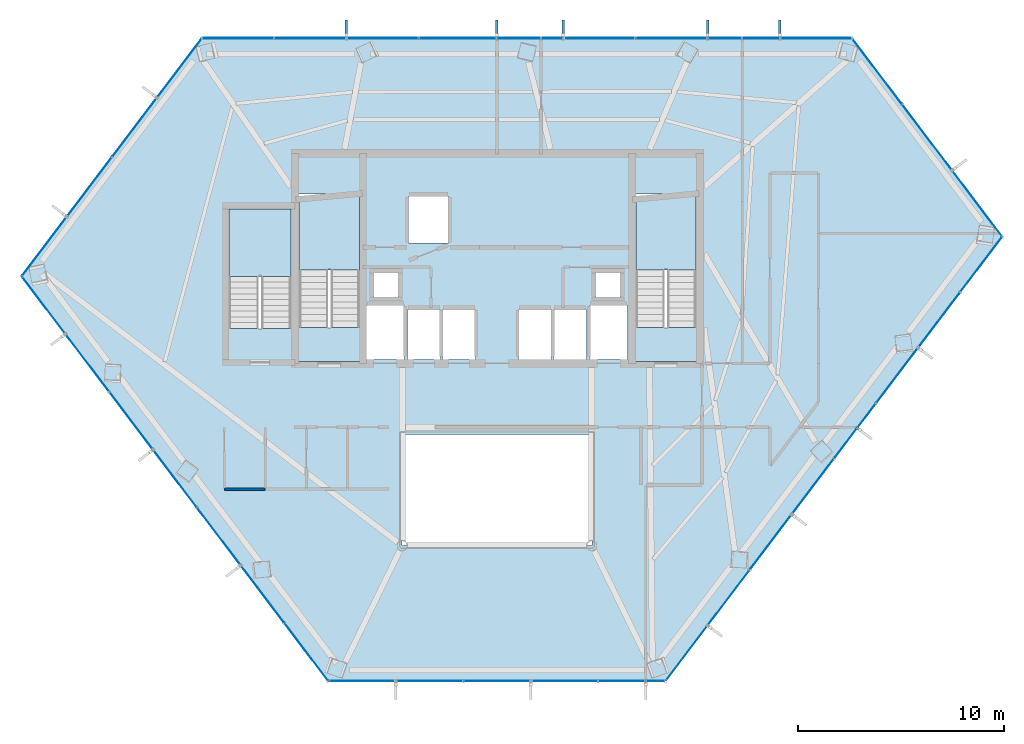
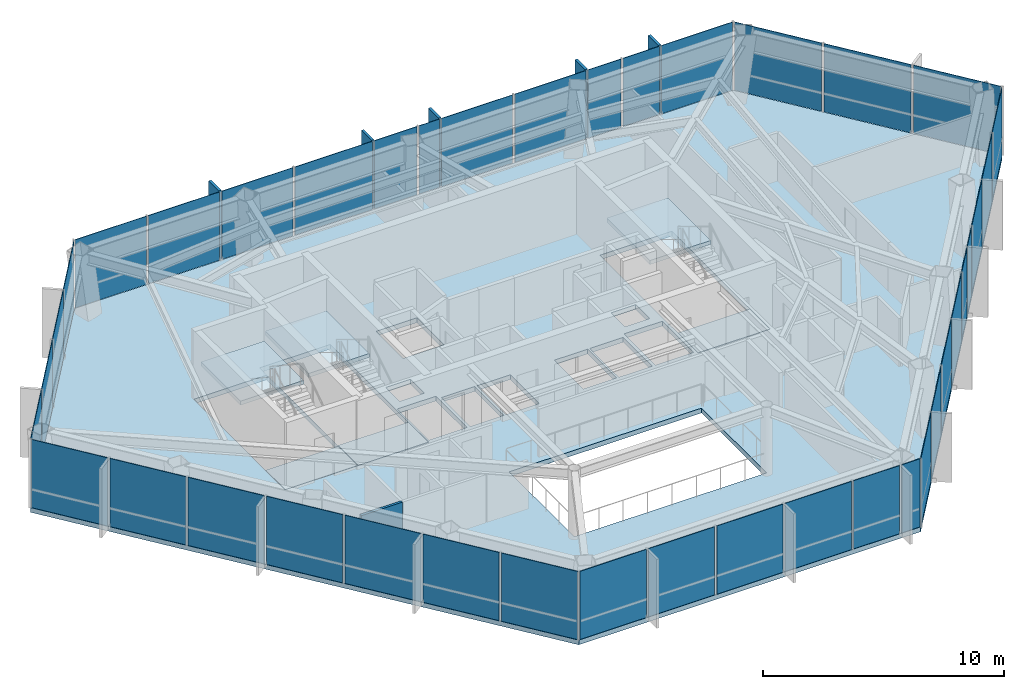
# One storey, part 24 of 28: 40 plates, 7 slabs, 5 members, 1 wall, 9 elements without a shape of their own.
"""IFC4 building model written with IfcOpenShell, lengths in metres."""

from ifc_helpers import new_model, si_unit, direction, frame, frame_2d, origin, origin_2d, place, context, subcontext, project, spatial, polyline, rectangle, outline, extrude, material, layer, layer_set, material_profile, profile_set, type_object, element, aggregate, save


model = new_model("IFC4")

# Units and contexts
model_context = context("Model", 3, precision=1e-05, world=origin(), true_north=direction((0.0, 1.0)))
body_context = subcontext(model_context, "Body", "Model", "MODEL_VIEW")
ifc_project = project(units=[si_unit("LENGTHUNIT", "METRE"), si_unit("AREAUNIT", "SQUARE_METRE"), si_unit("VOLUMEUNIT", "CUBIC_METRE"), si_unit("PLANEANGLEUNIT", "RADIAN"), si_unit("MASSUNIT", "GRAM", prefix="KILO")], contexts=[model_context])

# Site, building, storey
site_placement = place(None, origin())
site = spatial("IfcSite", under=ifc_project, at=site_placement, CompositionType="ELEMENT")
building_placement = place(site_placement, origin())
building = spatial("IfcBuilding", under=site, at=building_placement, Name="Zarrinselat Tower", CompositionType="ELEMENT")
storey_placement = place(building_placement, frame((0.0, 0.0, 153.340087890625)))
storey = spatial("IfcBuildingStorey", under=building, at=storey_placement, Name="L37", CompositionType="ELEMENT", Elevation=153.340087890625)

# Curtain wall, members, plates
ifc_material_1 = material(Name="Extruded Aluminium Alloy EN AW-6063 T6", Category="aluminium")
ifc_layer_1 = layer(ifc_material_1, 0.175048828125)
ifc_layer_set_1 = layer_set([ifc_layer_1], Name="Extruded Aluminium Alloy EN AW-6063 T6")
curtain_wall_type = type_object("IfcCurtainWallType", Name="CWS-HTL", PredefinedType="NOTDEFINED", material=ifc_layer_set_1)
curtain_wall_1_placement = place(storey_placement, origin())
curtain_wall_1 = element("IfcCurtainWall", 1, at=curtain_wall_1_placement, inside=storey, type_object=curtain_wall_type, Name="L37 Unitised Curtain Wall CW-L37-E01", PredefinedType="NOTDEFINED")
ifc_material_2 = material(Name="Honed Cream Travertine Stone", Category="masonry")
ifc_material_profile = material_profile(ifc_material_2, rectangle(XDim=0.1201171875, YDim=0.85009765625, at=origin_2d()), Name="FIN 850x120")
ifc_profile_set = profile_set([ifc_material_profile], Name="Honed Cream Travertine Stone")
member_type = type_object("IfcMemberType", Name="MEM-STONE-FIN", PredefinedType="USERDEFINED", material=ifc_profile_set)
member_1_placement = place(storey_placement, frame((52.126953125, 49.493408203125, 0.0), z_axis=(0.0, 0.0, 1.0), x_axis=(1.0, 0.0, 0.0)))
member_1 = element("IfcMember", 2, at=member_1_placement, type_object=member_type, Name="L37 Stone Shading Fin CW-L37-E01-01", ObjectType="FIN", PredefinedType="USERDEFINED", context=body_context, shape_type="SweptSolid", body=[
    extrude(rectangle(XDim=0.1201171875, YDim=0.85009765625, at=origin_2d()), origin(), (0.0, 0.0, 1.0), 3.489990234375),
])
member_2_placement = place(storey_placement, frame((48.621337890625, 49.493408203125, 0.0), z_axis=(0.0, 0.0, 1.0), x_axis=(1.0, 0.0, 0.0)))
member_2 = element("IfcMember", 3, at=member_2_placement, type_object=member_type, Name="L37 Stone Shading Fin CW-L37-E01-03", ObjectType="FIN", PredefinedType="USERDEFINED", context=body_context, shape_type="SweptSolid", body=[
    extrude(rectangle(XDim=0.1201171875, YDim=0.85009765625, at=origin_2d()), origin(), (0.0, 0.0, 1.0), 3.489990234375),
])
member_3_placement = place(storey_placement, frame((41.610107421875, 49.493408203125, 0.0), z_axis=(0.0, 0.0, 1.0), x_axis=(1.0, 0.0, 0.0)))
member_3 = element("IfcMember", 4, at=member_3_placement, type_object=member_type, Name="L37 Stone Shading Fin CW-L37-E01-05", ObjectType="FIN", PredefinedType="USERDEFINED", context=body_context, shape_type="SweptSolid", body=[
    extrude(rectangle(XDim=0.1201171875, YDim=0.85009765625, at=origin_2d()), origin(), (0.0, 0.0, 1.0), 3.489990234375),
])
member_4_placement = place(storey_placement, frame((38.39990234375, 49.493408203125, 0.0), z_axis=(0.0, 0.0, 1.0), x_axis=(1.0, 0.0, 0.0)))
member_4 = element("IfcMember", 5, at=member_4_placement, type_object=member_type, Name="L37 Stone Shading Fin CW-L37-E01-07", ObjectType="FIN", PredefinedType="USERDEFINED", context=body_context, shape_type="SweptSolid", body=[
    extrude(rectangle(XDim=0.1201171875, YDim=0.85009765625, at=origin_2d()), origin(), (0.0, 0.0, 1.0), 3.489990234375),
])
member_5_placement = place(storey_placement, frame((31.093017578125, 49.493408203125, 0.0), z_axis=(0.0, 0.0, 1.0), x_axis=(1.0, 0.0, 0.0)))
member_5 = element("IfcMember", 6, at=member_5_placement, type_object=member_type, Name="L37 Stone Shading Fin CW-L37-E01-09", ObjectType="FIN", PredefinedType="USERDEFINED", context=body_context, shape_type="SweptSolid", body=[
    extrude(rectangle(XDim=0.1201171875, YDim=0.85009765625, at=origin_2d()), origin(), (0.0, 0.0, 1.0), 3.489990234375),
])
ifc_material_3 = material(Name="Double Low-E Laminated Solar Glass", Category="glass")
ifc_layer_2 = layer(ifc_material_3, 0.028076171875)
ifc_layer_set_2 = layer_set([ifc_layer_2], Name="Double Low-E Laminated Solar Glass")
plate_type = type_object("IfcPlateType", Name="PLT-CW-GL28", PredefinedType="CURTAIN_PANEL", material=ifc_layer_set_2)
plate_1_placement = place(storey_placement, frame((53.8798828125, 49.033203125, 0.02001953125), z_axis=(0.0, 0.0, 1.0), x_axis=(-1.0, 0.0, 0.0)))
plate_1 = element("IfcPlate", 7, at=plate_1_placement, type_object=plate_type, Name="CW-L37-E01 Vision Glass Panel 1", PredefinedType="CURTAIN_PANEL", context=body_context, shape_type="SweptSolid", body=[
    extrude(rectangle(XDim=3.40576171875, YDim=0.028076171875, at=origin_2d()), origin(), (0.0, 0.0, 1.0), 3.449951171875),
])
plate_2_placement = place(storey_placement, frame((51.21337890625, 49.033203125, 0.02001953125), z_axis=(0.0, 0.0, 1.0), x_axis=(-1.0, 0.0, 0.0)))
plate_2 = element("IfcPlate", 8, at=plate_2_placement, type_object=plate_type, Name="CW-L37-E01 Vision Glass Panel 2", PredefinedType="CURTAIN_PANEL", context=body_context, shape_type="SweptSolid", body=[
    extrude(rectangle(XDim=1.72705078125, YDim=0.028076171875, at=origin_2d()), origin(), (0.0, 0.0, 1.0), 3.449951171875),
])
plate_3_placement = place(storey_placement, frame((49.460693359375, 49.033203125, 0.02001953125), z_axis=(0.0, 0.0, 1.0), x_axis=(-1.0, 0.0, 0.0)))
plate_3 = element("IfcPlate", 9, at=plate_3_placement, type_object=plate_type, Name="CW-L37-E01 Vision Glass Panel 3", PredefinedType="CURTAIN_PANEL", context=body_context, shape_type="SweptSolid", body=[
    extrude(rectangle(XDim=1.57861328125, YDim=0.028076171875, at=origin_2d()), origin(), (0.0, 0.0, 1.0), 3.449951171875),
])
plate_4_placement = place(storey_placement, frame((46.86865234375, 49.033203125, 0.02001953125), z_axis=(0.0, 0.0, 1.0), x_axis=(-1.0, 0.0, 0.0)))
plate_4 = element("IfcPlate", 10, at=plate_4_placement, type_object=plate_type, Name="CW-L37-E01 Vision Glass Panel 4", PredefinedType="CURTAIN_PANEL", context=body_context, shape_type="SweptSolid", body=[
    extrude(rectangle(XDim=3.40576171875, YDim=0.028076171875, at=origin_2d()), origin(), (0.0, 0.0, 1.0), 3.449951171875),
])
plate_5_placement = place(storey_placement, frame((43.36279296875, 49.033203125, 0.02001953125), z_axis=(0.0, 0.0, 1.0), x_axis=(-1.0, 0.0, 0.0)))
plate_5 = element("IfcPlate", 11, at=plate_5_placement, type_object=plate_type, Name="CW-L37-E01 Vision Glass Panel 5", PredefinedType="CURTAIN_PANEL", context=body_context, shape_type="SweptSolid", body=[
    extrude(rectangle(XDim=3.40576171875, YDim=0.028076171875, at=origin_2d()), origin(), (0.0, 0.0, 1.0), 3.449951171875),
])
plate_6_placement = place(storey_placement, frame((41.075927734375, 49.033203125, 0.02001953125), z_axis=(0.0, 0.0, 1.0), x_axis=(-1.0, 0.0, 0.0)))
plate_6 = element("IfcPlate", 12, at=plate_6_placement, type_object=plate_type, Name="CW-L37-E01 Vision Glass Panel 6", PredefinedType="CURTAIN_PANEL", context=body_context, shape_type="SweptSolid", body=[
    extrude(rectangle(XDim=0.968017578125, YDim=0.028076171875, at=origin_2d()), origin(), (0.0, 0.0, 1.0), 3.449951171875),
])
plate_7_placement = place(storey_placement, frame((39.470947265625, 49.033203125, 0.02001953125), z_axis=(0.0, 0.0, 1.0), x_axis=(-1.0, 0.0, 0.0)))
plate_7 = element("IfcPlate", 13, at=plate_7_placement, type_object=plate_type, Name="CW-L37-E01 Vision Glass Panel 7", PredefinedType="CURTAIN_PANEL", context=body_context, shape_type="SweptSolid", body=[
    extrude(rectangle(XDim=2.0419921875, YDim=0.028076171875, at=origin_2d()), origin(), (0.0, 0.0, 1.0), 3.449951171875),
])
plate_8_placement = place(storey_placement, frame((36.49951171875, 49.033203125, 0.02001953125), z_axis=(0.0, 0.0, 1.0), x_axis=(-1.0, 0.0, 0.0)))
plate_8 = element("IfcPlate", 14, at=plate_8_placement, type_object=plate_type, Name="CW-L37-E01 Vision Glass Panel 8", PredefinedType="CURTAIN_PANEL", context=body_context, shape_type="SweptSolid", body=[
    extrude(rectangle(XDim=3.701171875, YDim=0.028076171875, at=origin_2d()), origin(), (0.0, 0.0, 1.0), 3.449951171875),
])
plate_9_placement = place(storey_placement, frame((32.845947265625, 49.033203125, 0.02001953125), z_axis=(0.0, 0.0, 1.0), x_axis=(-1.0, 0.0, 0.0)))
plate_9 = element("IfcPlate", 15, at=plate_9_placement, type_object=plate_type, Name="CW-L37-E01 Vision Glass Panel 9", PredefinedType="CURTAIN_PANEL", context=body_context, shape_type="SweptSolid", body=[
    extrude(rectangle(XDim=3.40576171875, YDim=0.028076171875, at=origin_2d()), origin(), (0.0, 0.0, 1.0), 3.449951171875),
])
plate_10_placement = place(storey_placement, frame((29.34033203125, 49.033203125, 0.02001953125), z_axis=(0.0, 0.0, 1.0), x_axis=(-1.0, 0.0, 0.0)))
plate_10 = element("IfcPlate", 16, at=plate_10_placement, type_object=plate_type, Name="CW-L37-E01 Vision Glass Panel 10", PredefinedType="CURTAIN_PANEL", context=body_context, shape_type="SweptSolid", body=[
    extrude(rectangle(XDim=3.40576171875, YDim=0.028076171875, at=origin_2d()), origin(), (0.0, 0.0, 1.0), 3.449951171875),
])
plate_11_placement = place(storey_placement, frame((25.834716796875, 49.033203125, 0.02001953125), z_axis=(0.0, 0.0, 1.0), x_axis=(-1.0, 0.0, 0.0)))
plate_11 = element("IfcPlate", 17, at=plate_11_placement, type_object=plate_type, Name="CW-L37-E01 Vision Glass Panel 11", PredefinedType="CURTAIN_PANEL", context=body_context, shape_type="SweptSolid", body=[
    extrude(rectangle(XDim=3.40576171875, YDim=0.028076171875, at=origin_2d()), origin(), (0.0, 0.0, 1.0), 3.449951171875),
])
aggregate(curtain_wall_1, [member_1, member_2, member_3, member_4, member_5, plate_1, plate_2, plate_3, plate_4, plate_5, plate_6, plate_7, plate_8, plate_9, plate_10, plate_11])

# Curtain wall, plates
curtain_wall_2_placement = place(storey_placement, origin())
curtain_wall_2 = element("IfcCurtainWall", 18, at=curtain_wall_2_placement, inside=storey, type_object=curtain_wall_type, Name="L37 Unitised Curtain Wall CW-L37-E02", PredefinedType="NOTDEFINED")
plate_12_placement = place(storey_placement, frame((22.988037109375, 47.589599609375, 0.02001953125), z_axis=(0.0, 0.0, 1.0), x_axis=(-0.603857687995, -0.797092148154, 0.0)))
plate_12 = element("IfcPlate", 19, at=plate_12_placement, type_object=plate_type, Name="CW-L37-E02 Vision Glass Panel 1", PredefinedType="CURTAIN_PANEL", context=body_context, shape_type="SweptSolid", body=[
    extrude(rectangle(XDim=3.5224609375, YDim=0.028076171875, at=origin_2d()), origin(), (0.0, 0.0, 1.0), 3.449951171875),
])
plate_13_placement = place(storey_placement, frame((20.800537109375, 44.701904296875, 0.02001953125), z_axis=(0.0, 0.0, 1.0), x_axis=(-0.603857687995, -0.797092148154, 0.0)))
plate_13 = element("IfcPlate", 20, at=plate_13_placement, type_object=plate_type, Name="CW-L37-E02 Vision Glass Panel 2", PredefinedType="CURTAIN_PANEL", context=body_context, shape_type="SweptSolid", body=[
    extrude(rectangle(XDim=3.5224609375, YDim=0.028076171875, at=origin_2d()), origin(), (0.0, 0.0, 1.0), 3.449951171875),
])
plate_14_placement = place(storey_placement, frame((18.613037109375, 41.814453125, 0.02001953125), z_axis=(0.0, 0.0, 1.0), x_axis=(-0.603857687995, -0.797092148154, 0.0)))
plate_14 = element("IfcPlate", 21, at=plate_14_placement, type_object=plate_type, Name="CW-L37-E02 Vision Glass Panel 3", PredefinedType="CURTAIN_PANEL", context=body_context, shape_type="SweptSolid", body=[
    extrude(rectangle(XDim=3.5224609375, YDim=0.028076171875, at=origin_2d()), origin(), (0.0, 0.0, 1.0), 3.449951171875),
])
plate_15_placement = place(storey_placement, frame((16.425537109375, 38.927001953125, 0.02001953125), z_axis=(0.0, 0.0, 1.0), x_axis=(-0.603857687995, -0.797092148154, 0.0)))
plate_15 = element("IfcPlate", 22, at=plate_15_placement, type_object=plate_type, Name="CW-L37-E02 Vision Glass Panel 4", PredefinedType="CURTAIN_PANEL", context=body_context, shape_type="SweptSolid", body=[
    extrude(rectangle(XDim=3.5224609375, YDim=0.028076171875, at=origin_2d()), origin(), (0.0, 0.0, 1.0), 3.449951171875),
])
aggregate(curtain_wall_2, [plate_12, plate_13, plate_14, plate_15])

curtain_wall_3_placement = place(storey_placement, origin())
curtain_wall_3 = element("IfcCurtainWall", 23, at=curtain_wall_3_placement, inside=storey, type_object=curtain_wall_type, Name="L37 Unitised Curtain Wall CW-L37-E03", PredefinedType="NOTDEFINED")
plate_16_placement = place(storey_placement, frame((16.395263671875, 36.07958984375, 0.02001953125), z_axis=(0.0, 0.0, 1.0), x_axis=(0.603856985167, -0.7970926806, 0.0)))
plate_16 = element("IfcPlate", 24, at=plate_16_placement, type_object=plate_type, Name="CW-L37-E03 Vision Glass Panel 1", PredefinedType="CURTAIN_PANEL", context=body_context, shape_type="SweptSolid", body=[
    extrude(rectangle(XDim=3.422119140625, YDim=0.028076171875, at=origin_2d()), origin(), (0.0, 0.0, 1.0), 3.449951171875),
])
plate_17_placement = place(storey_placement, frame((18.52197265625, 33.272216796875, 0.02001953125), z_axis=(0.0, 0.0, 1.0), x_axis=(0.603856985167, -0.7970926806, 0.0)))
plate_17 = element("IfcPlate", 25, at=plate_17_placement, type_object=plate_type, Name="CW-L37-E03 Vision Glass Panel 2", PredefinedType="CURTAIN_PANEL", context=body_context, shape_type="SweptSolid", body=[
    extrude(rectangle(XDim=3.422119140625, YDim=0.028076171875, at=origin_2d()), origin(), (0.0, 0.0, 1.0), 3.449951171875),
])
plate_18_placement = place(storey_placement, frame((20.648681640625, 30.46484375, 0.02001953125), z_axis=(0.0, 0.0, 1.0), x_axis=(0.603856985167, -0.7970926806, 0.0)))
plate_18 = element("IfcPlate", 26, at=plate_18_placement, type_object=plate_type, Name="CW-L37-E03 Vision Glass Panel 3", PredefinedType="CURTAIN_PANEL", context=body_context, shape_type="SweptSolid", body=[
    extrude(rectangle(XDim=3.422119140625, YDim=0.028076171875, at=origin_2d()), origin(), (0.0, 0.0, 1.0), 3.449951171875),
])
plate_19_placement = place(storey_placement, frame((22.775634765625, 27.657470703125, 0.02001953125), z_axis=(0.0, 0.0, 1.0), x_axis=(0.603856985167, -0.7970926806, 0.0)))
plate_19 = element("IfcPlate", 27, at=plate_19_placement, type_object=plate_type, Name="CW-L37-E03 Vision Glass Panel 4", PredefinedType="CURTAIN_PANEL", context=body_context, shape_type="SweptSolid", body=[
    extrude(rectangle(XDim=3.422119140625, YDim=0.028076171875, at=origin_2d()), origin(), (0.0, 0.0, 1.0), 3.449951171875),
])
plate_20_placement = place(storey_placement, frame((24.902587890625, 24.85009765625, 0.02001953125), z_axis=(0.0, 0.0, 1.0), x_axis=(0.603856985167, -0.7970926806, 0.0)))
plate_20 = element("IfcPlate", 28, at=plate_20_placement, type_object=plate_type, Name="CW-L37-E03 Vision Glass Panel 5", PredefinedType="CURTAIN_PANEL", context=body_context, shape_type="SweptSolid", body=[
    extrude(rectangle(XDim=3.422119140625, YDim=0.028076171875, at=origin_2d()), origin(), (0.0, 0.0, 1.0), 3.449951171875),
])
plate_21_placement = place(storey_placement, frame((27.029296875, 22.04248046875, 0.02001953125), z_axis=(0.0, 0.0, 1.0), x_axis=(0.603856985167, -0.7970926806, 0.0)))
plate_21 = element("IfcPlate", 29, at=plate_21_placement, type_object=plate_type, Name="CW-L37-E03 Vision Glass Panel 6", PredefinedType="CURTAIN_PANEL", context=body_context, shape_type="SweptSolid", body=[
    extrude(rectangle(XDim=3.422119140625, YDim=0.028076171875, at=origin_2d()), origin(), (0.0, 0.0, 1.0), 3.449951171875),
])
plate_22_placement = place(storey_placement, frame((29.156005859375, 19.235107421875, 0.02001953125), z_axis=(0.0, 0.0, 1.0), x_axis=(0.603856985167, -0.7970926806, 0.0)))
plate_22 = element("IfcPlate", 30, at=plate_22_placement, type_object=plate_type, Name="CW-L37-E03 Vision Glass Panel 7", PredefinedType="CURTAIN_PANEL", context=body_context, shape_type="SweptSolid", body=[
    extrude(rectangle(XDim=3.422119140625, YDim=0.028076171875, at=origin_2d()), origin(), (0.0, 0.0, 1.0), 3.449951171875),
])
aggregate(curtain_wall_3, [plate_16, plate_17, plate_18, plate_19, plate_20, plate_21, plate_22])

curtain_wall_4_placement = place(storey_placement, origin())
curtain_wall_4 = element("IfcCurtainWall", 31, at=curtain_wall_4_placement, inside=storey, type_object=curtain_wall_type, Name="L37 Unitised Curtain Wall CW-L37-E04", PredefinedType="NOTDEFINED")
plate_23_placement = place(storey_placement, frame((31.855712890625, 17.83154296875, 0.02001953125), z_axis=(0.0, 0.0, 1.0), x_axis=(1.0, 0.0, 0.0)))
plate_23 = element("IfcPlate", 32, at=plate_23_placement, type_object=plate_type, Name="CW-L37-E04 Vision Glass Panel 1", PredefinedType="CURTAIN_PANEL", context=body_context, shape_type="SweptSolid", body=[
    extrude(rectangle(XDim=3.172119140625, YDim=0.028076171875, at=origin_2d()), origin(), (0.0, 0.0, 1.0), 3.449951171875),
])
plate_24_placement = place(storey_placement, frame((35.127685546875, 17.83154296875, 0.02001953125), z_axis=(0.0, 0.0, 1.0), x_axis=(1.0, 0.0, 0.0)))
plate_24 = element("IfcPlate", 33, at=plate_24_placement, type_object=plate_type, Name="CW-L37-E04 Vision Glass Panel 2", PredefinedType="CURTAIN_PANEL", context=body_context, shape_type="SweptSolid", body=[
    extrude(rectangle(XDim=3.172119140625, YDim=0.028076171875, at=origin_2d()), origin(), (0.0, 0.0, 1.0), 3.449951171875),
])
plate_25_placement = place(storey_placement, frame((38.39990234375, 17.83154296875, 0.02001953125), z_axis=(0.0, 0.0, 1.0), x_axis=(1.0, 0.0, 0.0)))
plate_25 = element("IfcPlate", 34, at=plate_25_placement, type_object=plate_type, Name="CW-L37-E04 Vision Glass Panel 3", PredefinedType="CURTAIN_PANEL", context=body_context, shape_type="SweptSolid", body=[
    extrude(rectangle(XDim=3.172119140625, YDim=0.028076171875, at=origin_2d()), origin(), (0.0, 0.0, 1.0), 3.449951171875),
])
plate_26_placement = place(storey_placement, frame((41.672119140625, 17.83154296875, 0.02001953125), z_axis=(0.0, 0.0, 1.0), x_axis=(1.0, 0.0, 0.0)))
plate_26 = element("IfcPlate", 35, at=plate_26_placement, type_object=plate_type, Name="CW-L37-E04 Vision Glass Panel 4", PredefinedType="CURTAIN_PANEL", context=body_context, shape_type="SweptSolid", body=[
    extrude(rectangle(XDim=3.172119140625, YDim=0.028076171875, at=origin_2d()), origin(), (0.0, 0.0, 1.0), 3.449951171875),
])
plate_27_placement = place(storey_placement, frame((44.46337890625, 17.83154296875, 0.02001953125), z_axis=(0.0, 0.0, 1.0), x_axis=(1.0, 0.0, 0.0)))
plate_27 = element("IfcPlate", 36, at=plate_27_placement, type_object=plate_type, Name="CW-L37-E04 Vision Glass Panel 5", PredefinedType="CURTAIN_PANEL", context=body_context, shape_type="SweptSolid", body=[
    extrude(rectangle(XDim=2.21044921875, YDim=0.028076171875, at=origin_2d()), origin(), (0.0, 0.0, 1.0), 3.449951171875),
])
plate_28_placement = place(storey_placement, frame((46.099609375, 17.83154296875, 0.02001953125), z_axis=(0.0, 0.0, 1.0), x_axis=(1.0, 0.0, 0.0)))
plate_28 = element("IfcPlate", 37, at=plate_28_placement, type_object=plate_type, Name="CW-L37-E04 Vision Glass Panel 6", PredefinedType="CURTAIN_PANEL", context=body_context, shape_type="SweptSolid", body=[
    extrude(rectangle(XDim=0.86181640625, YDim=0.028076171875, at=origin_2d()), origin(), (0.0, 0.0, 1.0), 3.449951171875),
])
aggregate(curtain_wall_4, [plate_23, plate_24, plate_25, plate_26, plate_27, plate_28])

curtain_wall_5_placement = place(storey_placement, origin())
curtain_wall_5 = element("IfcCurtainWall", 38, at=curtain_wall_5_placement, inside=storey, type_object=curtain_wall_type, Name="L37 Unitised Curtain Wall CW-L37-E05", PredefinedType="NOTDEFINED")
plate_29_placement = place(storey_placement, frame((47.60205078125, 19.179931640625, 0.02001953125), z_axis=(0.0, 0.0, 1.0), x_axis=(0.603857687995, 0.797092148154, 0.0)))
plate_29 = element("IfcPlate", 39, at=plate_29_placement, type_object=plate_type, Name="CW-L37-E05 Vision Glass Panel 1", PredefinedType="CURTAIN_PANEL", context=body_context, shape_type="SweptSolid", body=[
    extrude(rectangle(XDim=3.283447265625, YDim=0.028076171875, at=origin_2d()), origin(), (0.0, 0.0, 1.0), 3.449951171875),
])
plate_30_placement = place(storey_placement, frame((49.645263671875, 21.876953125, 0.02001953125), z_axis=(0.0, 0.0, 1.0), x_axis=(0.603857687995, 0.797092148154, 0.0)))
plate_30 = element("IfcPlate", 40, at=plate_30_placement, type_object=plate_type, Name="CW-L37-E05 Vision Glass Panel 2", PredefinedType="CURTAIN_PANEL", context=body_context, shape_type="SweptSolid", body=[
    extrude(rectangle(XDim=3.283447265625, YDim=0.028076171875, at=origin_2d()), origin(), (0.0, 0.0, 1.0), 3.449951171875),
])
plate_31_placement = place(storey_placement, frame((51.688232421875, 24.57373046875, 0.02001953125), z_axis=(0.0, 0.0, 1.0), x_axis=(0.603857687995, 0.797092148154, 0.0)))
plate_31 = element("IfcPlate", 41, at=plate_31_placement, type_object=plate_type, Name="CW-L37-E05 Vision Glass Panel 3", PredefinedType="CURTAIN_PANEL", context=body_context, shape_type="SweptSolid", body=[
    extrude(rectangle(XDim=3.283447265625, YDim=0.028076171875, at=origin_2d()), origin(), (0.0, 0.0, 1.0), 3.449951171875),
])
plate_32_placement = place(storey_placement, frame((53.7314453125, 27.270751953125, 0.02001953125), z_axis=(0.0, 0.0, 1.0), x_axis=(0.603857687995, 0.797092148154, 0.0)))
plate_32 = element("IfcPlate", 42, at=plate_32_placement, type_object=plate_type, Name="CW-L37-E05 Vision Glass Panel 4", PredefinedType="CURTAIN_PANEL", context=body_context, shape_type="SweptSolid", body=[
    extrude(rectangle(XDim=3.283447265625, YDim=0.028076171875, at=origin_2d()), origin(), (0.0, 0.0, 1.0), 3.449951171875),
])
plate_33_placement = place(storey_placement, frame((55.319091796875, 29.366455078125, 0.02001953125), z_axis=(0.0, 0.0, 1.0), x_axis=(0.603857687995, 0.797092148154, 0.0)))
plate_33 = element("IfcPlate", 43, at=plate_33_placement, type_object=plate_type, Name="CW-L37-E05 Vision Glass Panel 5", PredefinedType="CURTAIN_PANEL", context=body_context, shape_type="SweptSolid", body=[
    extrude(rectangle(XDim=1.77490234375, YDim=0.028076171875, at=origin_2d()), origin(), (0.0, 0.0, 1.0), 3.449951171875),
])
plate_34_placement = place(storey_placement, frame((56.3408203125, 30.71484375, 0.02001953125), z_axis=(0.0, 0.0, 1.0), x_axis=(0.603857687995, 0.797092148154, 0.0)))
plate_34 = element("IfcPlate", 44, at=plate_34_placement, type_object=plate_type, Name="CW-L37-E05 Vision Glass Panel 6", PredefinedType="CURTAIN_PANEL", context=body_context, shape_type="SweptSolid", body=[
    extrude(rectangle(XDim=1.408447265625, YDim=0.028076171875, at=origin_2d()), origin(), (0.0, 0.0, 1.0), 3.449951171875),
])
plate_35_placement = place(storey_placement, frame((57.817626953125, 32.66455078125, 0.02001953125), z_axis=(0.0, 0.0, 1.0), x_axis=(0.603857687995, 0.797092148154, 0.0)))
plate_35 = element("IfcPlate", 45, at=plate_35_placement, type_object=plate_type, Name="CW-L37-E05 Vision Glass Panel 7", PredefinedType="CURTAIN_PANEL", context=body_context, shape_type="SweptSolid", body=[
    extrude(rectangle(XDim=3.283447265625, YDim=0.028076171875, at=origin_2d()), origin(), (0.0, 0.0, 1.0), 3.449951171875),
])
plate_36_placement = place(storey_placement, frame((59.86083984375, 35.361572265625, 0.02001953125), z_axis=(0.0, 0.0, 1.0), x_axis=(0.603857687995, 0.797092148154, 0.0)))
plate_36 = element("IfcPlate", 46, at=plate_36_placement, type_object=plate_type, Name="CW-L37-E05 Vision Glass Panel 8", PredefinedType="CURTAIN_PANEL", context=body_context, shape_type="SweptSolid", body=[
    extrude(rectangle(XDim=3.283447265625, YDim=0.028076171875, at=origin_2d()), origin(), (0.0, 0.0, 1.0), 3.449951171875),
])
plate_37_placement = place(storey_placement, frame((61.90380859375, 38.058349609375, 0.02001953125), z_axis=(0.0, 0.0, 1.0), x_axis=(0.603857687995, 0.797092148154, 0.0)))
plate_37 = element("IfcPlate", 47, at=plate_37_placement, type_object=plate_type, Name="CW-L37-E05 Vision Glass Panel 9", PredefinedType="CURTAIN_PANEL", context=body_context, shape_type="SweptSolid", body=[
    extrude(rectangle(XDim=3.283447265625, YDim=0.028076171875, at=origin_2d()), origin(), (0.0, 0.0, 1.0), 3.449951171875),
])
aggregate(curtain_wall_5, [plate_29, plate_30, plate_31, plate_32, plate_33, plate_34, plate_35, plate_36, plate_37])

curtain_wall_6_placement = place(storey_placement, origin())
curtain_wall_6 = element("IfcCurtainWall", 48, at=curtain_wall_6_placement, inside=storey, type_object=curtain_wall_type, Name="L37 Unitised Curtain Wall CW-L37-E06", PredefinedType="NOTDEFINED")
plate_38_placement = place(storey_placement, frame((61.7099609375, 41.01123046875, 0.02001953125), z_axis=(0.0, 0.0, 1.0), x_axis=(-0.603861514104, 0.797089249573, 0.0)))
plate_38 = element("IfcPlate", 49, at=plate_38_placement, type_object=plate_type, Name="CW-L37-E06 Vision Glass Panel 1", PredefinedType="CURTAIN_PANEL", context=body_context, shape_type="SweptSolid", body=[
    extrude(rectangle(XDim=3.925537109375, YDim=0.028076171875, at=origin_2d()), origin(), (0.0, 0.0, 1.0), 3.449951171875),
])
plate_39_placement = place(storey_placement, frame((59.279052734375, 44.22021484375, 0.02001953125), z_axis=(0.0, 0.0, 1.0), x_axis=(-0.603861514104, 0.797089249573, 0.0)))
plate_39 = element("IfcPlate", 50, at=plate_39_placement, type_object=plate_type, Name="CW-L37-E06 Vision Glass Panel 2", PredefinedType="CURTAIN_PANEL", context=body_context, shape_type="SweptSolid", body=[
    extrude(rectangle(XDim=3.925537109375, YDim=0.028076171875, at=origin_2d()), origin(), (0.0, 0.0, 1.0), 3.449951171875),
])
plate_40_placement = place(storey_placement, frame((56.84814453125, 47.428955078125, 0.02001953125), z_axis=(0.0, 0.0, 1.0), x_axis=(-0.603861514104, 0.797089249573, 0.0)))
plate_40 = element("IfcPlate", 51, at=plate_40_placement, type_object=plate_type, Name="CW-L37-E06 Vision Glass Panel 3", PredefinedType="CURTAIN_PANEL", context=body_context, shape_type="SweptSolid", body=[
    extrude(rectangle(XDim=3.925537109375, YDim=0.028076171875, at=origin_2d()), origin(), (0.0, 0.0, 1.0), 3.449951171875),
])
aggregate(curtain_wall_6, [plate_38, plate_39, plate_40])

# Slabs
ifc_material_4 = material(Name="Concrete C40/50", Category="concrete")
ifc_layer_3 = layer(ifc_material_4, 0.239990234375)
ifc_layer_set_3 = layer_set([ifc_layer_3], Name="Concrete C40/50")
slab_type_1 = type_object("IfcSlabType", Name="SLB-FLOOR-240-SL-HT240", PredefinedType="FLOOR", material=ifc_layer_set_3)
slab_1_placement = place(storey_placement, frame((0.0, 0.0, -0.239990234375)))
element("IfcSlab", 52, at=slab_1_placement, inside=storey, type_object=slab_type_1, Name="L37 Primary Structural Slab", PredefinedType="FLOOR", context=body_context, shape_type="SweptSolid", body=[
    extrude(outline(polyline([(55.6328125, 49.033203125), (24.081787109375, 49.033203125), (15.331787109375, 37.4833984375), (30.219482421875, 17.83154296875), (46.58056640625, 17.83154296875), (62.925537109375, 39.406982421875), (55.6328125, 49.033203125)]), holes=[polyline([(35.64990234375, 33.449951171875), (34.050048828125, 33.449951171875), (34.050048828125, 35.85009765625), (35.64990234375, 35.85009765625), (35.64990234375, 33.449951171875)]), polyline([(35.75, 33.449951171875), (35.75, 35.85009765625), (37.35009765625, 35.85009765625), (37.35009765625, 33.449951171875), (35.75, 33.449951171875)]), polyline([(32.06005859375, 33.449951171875), (32.06005859375, 36.050048828125), (33.89990234375, 36.050048828125), (33.89990234375, 33.449951171875), (32.06005859375, 33.449951171875)]), polyline([(33.60009765625, 36.47998046875), (32.419921875, 36.47998046875), (32.419921875, 37.639892578125), (33.60009765625, 37.639892578125), (33.60009765625, 36.47998046875)]), polyline([(28.594970703125, 33.324951171875), (25.114990234375, 33.324951171875), (25.114990234375, 40.875), (28.594970703125, 40.875), (28.594970703125, 33.324951171875)]), polyline([(31.985107421875, 33.324951171875), (28.60498046875, 33.324951171875), (28.60498046875, 41.47509765625), (31.985107421875, 41.47509765625), (31.985107421875, 33.324951171875)]), polyline([(36.050048828125, 39.10009765625), (34.10009765625, 39.10009765625), (34.10009765625, 41.35009765625), (36.050048828125, 41.35009765625), (36.050048828125, 39.10009765625)]), polyline([(33.800048828125, 24.39990234375), (33.800048828125, 29.800048828125), (43.0, 29.800048828125), (43.0, 24.39990234375), (33.800048828125, 24.39990234375)]), polyline([(39.449951171875, 33.449951171875), (39.449951171875, 35.85009765625), (41.050048828125, 35.85009765625), (41.050048828125, 33.449951171875), (39.449951171875, 33.449951171875)]), polyline([(41.14990234375, 33.449951171875), (41.14990234375, 35.85009765625), (42.75, 35.85009765625), (42.75, 33.449951171875), (41.14990234375, 33.449951171875)]), polyline([(42.89990234375, 33.449951171875), (42.89990234375, 36.050048828125), (44.739990234375, 36.050048828125), (44.739990234375, 33.449951171875), (42.89990234375, 33.449951171875)]), polyline([(43.199951171875, 36.47998046875), (43.199951171875, 37.639892578125), (44.3798828125, 37.639892578125), (44.3798828125, 36.47998046875), (43.199951171875, 36.47998046875)]), polyline([(48.324951171875, 33.324951171875), (44.875, 33.324951171875), (44.875, 41.47509765625), (48.324951171875, 41.47509765625), (48.324951171875, 33.324951171875)])]), origin(), (0.0, 0.0, 1.0), 0.239990234375),
])
slab_2_placement = place(storey_placement, frame((0.0, 0.0, -0.239990234375)))
element("IfcSlab", 53, at=slab_2_placement, inside=storey, type_object=slab_type_1, Name="L37 Stair ST-1-FL1 Structural Floor Landing", PredefinedType="FLOOR", context=body_context, shape_type="SweptSolid", body=[
    extrude(outline(polyline([(31.97998046875, 33.330078125), (31.97998046875, 35.0), (28.610107421875, 35.0), (28.610107421875, 33.330078125), (31.97998046875, 33.330078125)])), origin(), (0.0, 0.0, 1.0), 0.239990234375),
])
slab_3_placement = place(storey_placement, frame((0.0, 0.0, -0.239990234375)))
element("IfcSlab", 54, at=slab_3_placement, inside=storey, type_object=slab_type_1, Name="L37 Stair ST-2-FL1 Structural Floor Landing", PredefinedType="FLOOR", context=body_context, shape_type="SweptSolid", body=[
    extrude(outline(polyline([(48.320068359375, 33.330078125), (48.320068359375, 35.0), (44.8798828125, 35.0), (44.8798828125, 33.330078125), (48.320068359375, 33.330078125)])), origin(), (0.0, 0.0, 1.0), 0.239990234375),
])
slab_4_placement = place(storey_placement, frame((0.0, 0.0, -0.239990234375)))
element("IfcSlab", 55, at=slab_4_placement, inside=storey, type_object=slab_type_1, Name="L37 Stair ST-3-FL1 Structural Floor Landing", PredefinedType="FLOOR", context=body_context, shape_type="SweptSolid", body=[
    extrude(outline(polyline([(28.590087890625, 33.330078125), (28.590087890625, 34.949951171875), (25.1201171875, 34.949951171875), (25.1201171875, 33.330078125), (28.590087890625, 33.330078125)])), origin(), (0.0, 0.0, 1.0), 0.239990234375),
])

# Stair, slab
ifc_material_5 = material(Name="Concrete C40/50", Category="concrete")
stair_type_1 = type_object("IfcStairType", Name="STR-CORE-145", PredefinedType="HALF_TURN_STAIR", material=ifc_material_5)
stair_1_placement = place(storey_placement, origin())
stair_1 = element("IfcStair", 56, at=stair_1_placement, inside=storey, type_object=stair_type_1, Name="L37 Podium & Mid-Tower Exit Stair 3", PredefinedType="HALF_TURN_STAIR")
ifc_material_6 = material(Name="Concrete C40/50", Category="concrete")
ifc_layer_4 = layer(ifc_material_6, 0.1650390625)
ifc_layer_set_4 = layer_set([ifc_layer_4], Name="Concrete C40/50")
slab_type_2 = type_object("IfcSlabType", Name="SLB-LND-165", PredefinedType="LANDING", material=ifc_layer_set_4)
slab_5_placement = place(storey_placement, frame((0.0, 0.0, 1.669921875)))
slab_5 = element("IfcSlab", 57, at=slab_5_placement, type_object=slab_type_2, Name="ST-3 landing 1", PredefinedType="LANDING", context=body_context, shape_type="SweptSolid", body=[
    extrude(outline(polyline([(28.39990234375, 37.469970703125), (28.39990234375, 40.75), (25.3798828125, 40.75), (25.3798828125, 37.469970703125), (28.39990234375, 37.469970703125)])), origin(), (0.0, 0.0, 1.0), 0.199951171875),
])
aggregate(stair_1, [slab_5])

ifc_material_7 = material(Name="Concrete C40/50", Category="concrete")
stair_type_2 = type_object("IfcStairType", Name="STR-CORE-155", PredefinedType="HALF_TURN_STAIR", material=ifc_material_7)
stair_2_placement = place(storey_placement, origin())
stair_2 = element("IfcStair", 58, at=stair_2_placement, inside=storey, type_object=stair_type_2, Name="L37 Core Exit Stair 1", PredefinedType="HALF_TURN_STAIR")
ifc_material_8 = material(Name="Concrete C40/50", Category="concrete")
ifc_layer_5 = layer(ifc_material_8, 0.18994140625)
ifc_layer_set_5 = layer_set([ifc_layer_5], Name="Concrete C40/50")
slab_type_3 = type_object("IfcSlabType", Name="SLB-LND-190", PredefinedType="LANDING", material=ifc_layer_set_5)
slab_6_placement = place(storey_placement, frame((0.0, 0.0, 1.669921875)))
slab_6 = element("IfcSlab", 59, at=slab_6_placement, type_object=slab_type_3, Name="ST-1 landing 1", PredefinedType="LANDING", context=body_context, shape_type="SweptSolid", body=[
    extrude(outline(polyline([(31.719970703125, 37.7900390625), (31.719970703125, 41.35009765625), (28.800048828125, 41.35009765625), (28.800048828125, 37.7900390625), (31.719970703125, 37.7900390625)])), origin(), (0.0, 0.0, 1.0), 0.199951171875),
])
aggregate(stair_2, [slab_6])

stair_3_placement = place(storey_placement, origin())
stair_3 = element("IfcStair", 60, at=stair_3_placement, inside=storey, type_object=stair_type_2, Name="L37 Core Exit Stair 2", PredefinedType="HALF_TURN_STAIR")
slab_7_placement = place(storey_placement, frame((0.0, 0.0, 1.669921875)))
slab_7 = element("IfcSlab", 61, at=slab_7_placement, type_object=slab_type_3, Name="ST-2 landing 1", PredefinedType="LANDING", context=body_context, shape_type="SweptSolid", body=[
    extrude(outline(polyline([(48.06005859375, 37.7900390625), (48.06005859375, 41.35009765625), (45.139892578125, 41.35009765625), (45.139892578125, 37.7900390625), (48.06005859375, 37.7900390625)])), origin(), (0.0, 0.0, 1.0), 0.199951171875),
])
aggregate(stair_3, [slab_7])

# Wall
ifc_material_9 = material(Name="Fire-Rated Gypsum Board Partition", Category="gypsum")
ifc_layer_6 = layer(ifc_material_9, 0.1201171875)
ifc_layer_set_6 = layer_set([ifc_layer_6], Name="Fire-Rated Gypsum Board Partition")
wall_type = type_object("IfcWallType", Name="WAL-PART-STD", PredefinedType="PARTITIONING", material=ifc_layer_set_6)
wall_placement = place(storey_placement, frame((25.169921875, 27.14990234375, 0.0), z_axis=(0.0, 0.0, 1.0), x_axis=(1.0, 0.0, 0.0)))
element("IfcWall", 62, at=wall_placement, inside=storey, type_object=wall_type, Name="L37 Partition Wall 30", PredefinedType="PARTITIONING", context=body_context, shape_type="SweptSolid", body=[
    extrude(rectangle(XDim=1.9599609375, YDim=0.1201171875, at=frame_2d((0.97998046875, 0.0))), origin(), (0.0, 0.0, 1.0), 2.447021484375),
])

save(model, "model.ifc")
